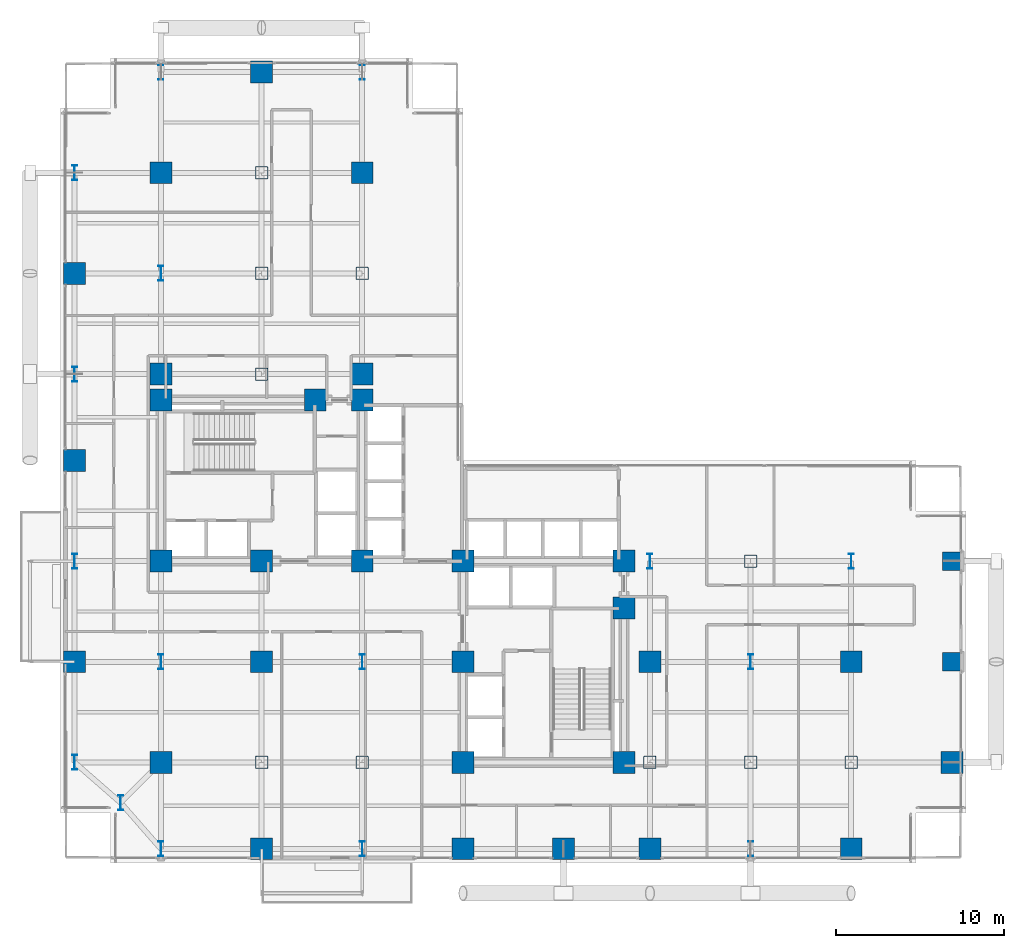
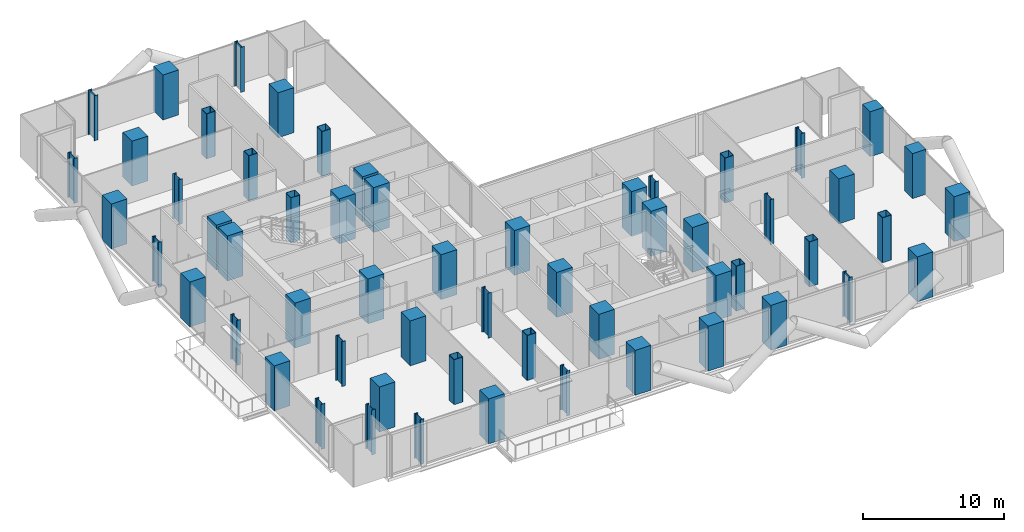
# One storey, part 1 of 25: 58 columns.
"""IFC4 building model written with IfcOpenShell, lengths in metres."""

import ifcopenshell
import ifcopenshell.guid

model = None  # the IFC model being written
_history = None  # IfcOwnerHistory: only IFC2X3 demands one
_inside = {}  # id of a spatial element -> (the spatial element, [elements in it])
_under = {}  # id of a project, library or spatial element -> (it, [spatial elements below it])
_declared = {}  # id of a project -> (the project, [libraries it declares])
_typed = {}  # id of a type object -> (the type object, [elements of that type])
_made_of = {}  # id of a material, layer set ... -> (it, [elements and type objects made of it])


def new_model(schema):
    """Start an empty IFC model of exactly this schema.

    Asked for "IFC4X3", IfcOpenShell would pick the latest addendum, in which some entities
    have other attributes; the version numbers below select the first issue.
    IFC2X3 requires an IfcOwnerHistory on every rooted entity: one is made here for all.
    """
    global model, _history
    if schema == "IFC4X3":
        model = ifcopenshell.file(schema_version=(4, 3, 0, 0))
    else:
        model = ifcopenshell.file(schema=schema)
    _inside.clear()
    _under.clear()
    _declared.clear()
    _typed.clear()
    _made_of.clear()
    _history = None
    if model.schema == "IFC2X3":
        org = make("IfcOrganization", Name="unknown")
        user = make(
            "IfcPersonAndOrganization",
            ThePerson=make("IfcPerson", FamilyName="unknown"),
            TheOrganization=org,
        )
        app = make(
            "IfcApplication",
            ApplicationDeveloper=org,
            Version="unknown",
            ApplicationFullName="unknown",
            ApplicationIdentifier="unknown",
        )
        _history = make(
            "IfcOwnerHistory",
            OwningUser=user,
            OwningApplication=app,
            ChangeAction="ADDED",
            CreationDate=0,
        )
    return model


def make(cls, **values):
    """One entity of the class cls with the attributes given. An attribute that is None is left unset."""
    return model.create_entity(
        cls, **{name: value for name, value in values.items() if value is not None}
    )


def rooted(cls, **values):
    """An entity with a GlobalId (a new one), such as an element, a storey or a relation."""
    return make(cls, GlobalId=ifcopenshell.guid.new(), OwnerHistory=_history, **values)


def si_unit(unit_type, name, prefix=None):
    """IfcSIUnit, for example si_unit("LENGTHUNIT", "METRE", prefix="MILLI")."""
    return make("IfcSIUnit", UnitType=unit_type, Prefix=prefix, Name=name)


def assignment(units):
    """IfcUnitAssignment: the units of a project."""
    return None if units is None else make("IfcUnitAssignment", Units=units)


def point(xyz):
    """IfcCartesianPoint."""
    return None if xyz is None else make("IfcCartesianPoint", Coordinates=xyz)


def direction(xyz):
    """IfcDirection."""
    return None if xyz is None else make("IfcDirection", DirectionRatios=xyz)


def frame(location, z_axis=None, x_axis=None):
    """IfcAxis2Placement3D, a coordinate frame: its origin and axes. An axis left out is left unset."""
    return make(
        "IfcAxis2Placement3D",
        Location=point(location),
        Axis=direction(z_axis),
        RefDirection=direction(x_axis),
    )


def frame_2d(location, x_axis=None):
    """IfcAxis2Placement2D, a coordinate frame in the plane: its origin and x axis."""
    return make(
        "IfcAxis2Placement2D", Location=point(location), RefDirection=direction(x_axis)
    )


def origin():
    """The frame at (0, 0, 0) with its axes left unset."""
    return frame((0.0, 0.0, 0.0))


def origin_2d():
    """The frame at (0, 0) in the plane with its x axis left unset."""
    return frame_2d((0.0, 0.0))


def place(relative_to, where):
    """IfcLocalPlacement: puts the frame where relative to a parent placement (None: the world)."""
    return make(
        "IfcLocalPlacement", PlacementRelTo=relative_to, RelativePlacement=where
    )


def context(
    kind, dimensions, precision=None, world=None, true_north=None, identifier=None
):
    """IfcGeometricRepresentationContext, for example the 3D "Model" context."""
    return make(
        "IfcGeometricRepresentationContext",
        ContextIdentifier=identifier,
        ContextType=kind,
        CoordinateSpaceDimension=dimensions,
        Precision=precision,
        WorldCoordinateSystem=world,
        TrueNorth=true_north,
    )


def subcontext(parent, identifier, kind, view, scale=None):
    """IfcGeometricRepresentationSubContext, for example "Body" below "Model"."""
    return make(
        "IfcGeometricRepresentationSubContext",
        ContextIdentifier=identifier,
        ContextType=kind,
        ParentContext=parent,
        TargetScale=scale,
        TargetView=view,
    )


def project(units=None, contexts=None):
    """IfcProject with its units and contexts."""
    return rooted(
        "IfcProject",
        Name="project",
        RepresentationContexts=contexts,
        UnitsInContext=assignment(units),
    )


def spatial(cls, under=None, at=None, **own):
    """A site, building, storey or space (cls), placed at a placement, below another one or the project."""
    s = rooted(cls, ObjectPlacement=at, **own)
    if under is not None:
        _under.setdefault(under.id(), (under, []))[1].append(s)
    return s


def profile(cls, at=None, kind="AREA", **sizes):
    """A parametric profile (cls). Its sizes go by their IFC names, for example OverallWidth=200.0."""
    return make(cls, ProfileType=kind, Position=at, **sizes)


def rectangle(**sizes):
    """IfcRectangleProfileDef."""
    return profile("IfcRectangleProfileDef", **sizes)


def hollow_rectangle(**sizes):
    """IfcRectangleHollowProfileDef."""
    return profile("IfcRectangleHollowProfileDef", **sizes)


def i_section(**sizes):
    """IfcIShapeProfileDef."""
    return profile("IfcIShapeProfileDef", **sizes)


def extrude(swept, where, along, depth):
    """IfcExtrudedAreaSolid: the profile swept, set in the frame where, extruded along a direction by depth."""
    return make(
        "IfcExtrudedAreaSolid",
        SweptArea=swept,
        Position=where,
        ExtrudedDirection=direction(along),
        Depth=depth,
    )


def shape(context_of_items, identifier, shape_type, items):
    """IfcShapeRepresentation: the items that make up one representation, for example the "Body"."""
    return make(
        "IfcShapeRepresentation",
        ContextOfItems=context_of_items,
        RepresentationIdentifier=identifier,
        RepresentationType=shape_type,
        Items=items,
    )


def material(Name=None, Category=None):
    """IfcMaterial."""
    return make("IfcMaterial", Name=Name, Category=Category)


def material_profile(
    of_material, cross_section, Name=None, Category=None, Priority=None
):
    """IfcMaterialProfile: a cross section and its material."""
    return make(
        "IfcMaterialProfile",
        Name=Name,
        Material=of_material,
        Profile=cross_section,
        Priority=Priority,
        Category=Category,
    )


def profile_set(profiles, Name=None, composite=None):
    """IfcMaterialProfileSet."""
    return make(
        "IfcMaterialProfileSet",
        Name=Name,
        MaterialProfiles=profiles,
        CompositeProfile=composite,
    )


def made_of(thing, what):
    """Note that an element or type object is made of a material, layer set ...; save() writes the relation."""
    if what is not None:
        _made_of.setdefault(what.id(), (what, []))[1].append(thing)
    return thing


def type_object(cls, material=None, **own):
    """A type object (cls), such as IfcWallType, which elements share."""
    return made_of(rooted(cls, **own), material)


def element(
    cls,
    number,
    at=None,
    inside=None,
    cuts=None,
    type_object=None,
    material=None,
    context=None,
    identifier="Body",
    shape_type=None,
    held_by="IfcProductDefinitionShape",
    body=None,
    shapes=None,
    **own,
):
    """One element of the class cls, such as IfcWall. Its Tag is "e" and its number.

    at: its placement. inside: the storey or other place that contains it. cuts: it is an
    opening in that element (IfcRelVoidsElement). A single representation is given by context,
    identifier, shape_type and body (its items); several are given by shapes. held_by: the class
    of the entity that holds the representations. save() writes the other relations.
    """
    e = rooted(cls, Tag="e%d" % number, ObjectPlacement=at, **own)
    if body is not None:
        shapes = [shape(context, identifier, shape_type, body)]
    if shapes is not None:
        e.Representation = make(held_by, Representations=shapes)
    if inside is not None:
        _inside.setdefault(inside.id(), (inside, []))[1].append(e)
    if cuts is not None:
        rooted(
            "IfcRelVoidsElement", RelatingBuildingElement=cuts, RelatedOpeningElement=e
        )
    if type_object is not None:
        _typed.setdefault(type_object.id(), (type_object, []))[1].append(e)
    return made_of(e, material)


def aggregate(whole, parts):
    """IfcRelAggregates: a whole, such as a stair, and the parts it consists of."""
    return rooted("IfcRelAggregates", RelatingObject=whole, RelatedObjects=parts)


def save(model, path):
    """Write the relations noted so far, then the file.

    IfcRelAggregates (storeys below a building ...), IfcRelContainedInSpatialStructure (elements
    in a storey), IfcRelDefinesByType, IfcRelAssociatesMaterial and IfcRelDeclares: one each for
    every whole, place, type object, material and project.
    """
    for whole, parts in _under.values():
        aggregate(whole, parts)
    for where, things in _inside.values():
        rooted(
            "IfcRelContainedInSpatialStructure",
            RelatedElements=things,
            RelatingStructure=where,
        )
    for kind, things in _typed.values():
        rooted("IfcRelDefinesByType", RelatedObjects=things, RelatingType=kind)
    for what, things in _made_of.values():
        rooted("IfcRelAssociatesMaterial", RelatedObjects=things, RelatingMaterial=what)
    for by, libraries in _declared.values():
        rooted("IfcRelDeclares", RelatingContext=by, RelatedDefinitions=libraries)
    model.write(path)


model = new_model("IFC4")

# Units and contexts
model_context = context("Model", 3, precision=1e-05, world=origin(), true_north=direction((0.0, 1.0)))
body_context = subcontext(model_context, "Body", "Model", "MODEL_VIEW")
ifc_project = project(units=[si_unit("LENGTHUNIT", "METRE"), si_unit("AREAUNIT", "SQUARE_METRE"), si_unit("VOLUMEUNIT", "CUBIC_METRE"), si_unit("PLANEANGLEUNIT", "RADIAN"), si_unit("MASSUNIT", "GRAM", prefix="KILO"), si_unit("THERMODYNAMICTEMPERATUREUNIT", "KELVIN"), si_unit("POWERUNIT", "WATT")], contexts=[model_context])

# Site, building, storey
site_placement = place(None, origin())
site = spatial("IfcSite", under=ifc_project, at=site_placement, CompositionType="ELEMENT")
building_placement = place(site_placement, origin())
building = spatial("IfcBuilding", under=site, at=building_placement, Name="Svarakhadi Broadcast Tower", CompositionType="ELEMENT")
storey_placement = place(building_placement, frame((0.0, 0.0, 32.39990234375)))
storey = spatial("IfcBuildingStorey", under=building, at=storey_placement, Name="L06", CompositionType="ELEMENT", Elevation=32.39990234375)

# Columns
ifc_material_1 = material(Name="Steel S460ML (IS 2062 E450BR)", Category="steel")
ifc_material_profile_1 = material_profile(ifc_material_1, hollow_rectangle(XDim=0.75, YDim=0.75, WallThickness=0.034912109375, InnerFilletRadius=0.034912109375, OuterFilletRadius=0.050048828125, at=origin_2d()), Name="BOX 750x750x35")
ifc_profile_set_1 = profile_set([ifc_material_profile_1], Name="Steel S460ML (IS 2062 E450BR)")
column_type_1 = type_object("IfcColumnType", Name="Col_BOX750", PredefinedType="COLUMN", material=ifc_profile_set_1)
for number, where, z_axis, x_axis, name in (
    (1, (12.0, 6.0, 0.0), (0.0, 0.0, 1.0), (1.0, 0.0, 0.0), "L06 Column G19"),
    (2, (12.0, 29.14990234375, 0.0), (0.0, 0.0, 1.0), (1.0, 0.0, 0.0), "L06 Column G21"),
    (3, (12.0, 35.14990234375, 0.0), (0.0, 0.0, 1.0), (1.0, 0.0, 0.0), "L06 Column G22"),
    (4, (12.0, 41.14990234375, 0.0), (0.0, 0.0, 1.0), (1.0, 0.0, 0.0), "L06 Column G23"),
    (5, (18.0, 6.0, 0.0), (0.0, 0.0, 1.0), (1.0, 0.0, 0.0), "L06 Column G26"),
    (6, (18.0, 35.14990234375, 0.0), (0.0, 0.0, 1.0), (1.0, 0.0, 0.0), "L06 Column G29"),
    (7, (35.14990234375, 6.0, 0.0), (0.0, 0.0, 1.0), (1.0, 0.0, 0.0), "L06 Column G39"),
    (8, (41.14990234375, 6.0, 0.0), (0.0, 0.0, 1.0), (1.0, 0.0, 0.0), "L06 Column G44"),
    (9, (41.14990234375, 18.0, 0.0), (0.0, 0.0, 1.0), (1.0, 0.0, 0.0), "L06 Column G46"),
    (10, (47.14990234375, 6.0, 0.0), (0.0, 0.0, 1.0), (1.0, 0.0, 0.0), "L06 Column G51"),
):
    element("IfcColumn", number, at=place(storey_placement, frame(where, z_axis=z_axis, x_axis=x_axis)), inside=storey, type_object=column_type_1, Name=name, PredefinedType="COLUMN", context=body_context, shape_type="SweptSolid", body=[
        extrude(hollow_rectangle(XDim=0.75, YDim=0.75, WallThickness=0.034912109375, InnerFilletRadius=0.034912109375, OuterFilletRadius=0.050048828125, at=origin_2d()), origin(), (0.0, 0.0, 1.0), 3.900146484375),
    ])
ifc_material_2 = material(Name="Concrete C50/60 (IS 456 M60)", Category="concrete")
ifc_material_profile_2 = material_profile(ifc_material_2, rectangle(XDim=1.10009765625, YDim=1.10009765625, at=origin_2d()), Name="RC 1100x1100")
ifc_profile_set_2 = profile_set([ifc_material_profile_2], Name="Concrete C50/60 (IS 456 M60)")
column_type_2 = type_object("IfcColumnType", Name="Col_RC1100", PredefinedType="COLUMN", material=ifc_profile_set_2)
for number, where, z_axis, x_axis, name in (
    (11, (53.14990234375, 12.0, 0.0), (0.0, 0.0, 1.0), (1.0, 0.0, 0.0), "L06 Zone-1 East Stack Column ZT02"),
    (12, (53.14990234375, 18.0, 0.0), (0.0, 0.0, 1.0), (1.0, 0.0, 0.0), "L06 Zone-1 East Stack Column ZT03"),
):
    element("IfcColumn", number, at=place(storey_placement, frame(where, z_axis=z_axis, x_axis=x_axis)), inside=storey, type_object=column_type_2, Name=name, PredefinedType="COLUMN", context=body_context, shape_type="SweptSolid", body=[
        extrude(rectangle(XDim=1.10009765625, YDim=1.10009765625, at=origin_2d()), origin(), (0.0, 0.0, 1.0), 3.900146484375),
    ])
ifc_material_3 = material(Name="Concrete C60/75 (IS 456 M70)", Category="concrete")
ifc_material_profile_3 = material_profile(ifc_material_3, rectangle(XDim=1.300048828125, YDim=1.300048828125, at=origin_2d()), Name="RC 1300x1300")
ifc_profile_set_3 = profile_set([ifc_material_profile_3], Name="Concrete C60/75 (IS 456 M70)")
column_type_3 = type_object("IfcColumnType", Name="Col_RC1300", PredefinedType="COLUMN", material=ifc_profile_set_3)
for number, where, z_axis, x_axis, name in (
    (13, (6.0, 18.0, 0.0), (0.0, 0.0, 1.0), (1.0, 0.0, 0.0), "L06 Column CW1"),
    (14, (12.0, 18.0, 0.0), (0.0, 0.0, 1.0), (1.0, 0.0, 0.0), "L06 Column CW2"),
    (15, (18.0, 18.0, 0.0), (0.0, 0.0, 1.0), (1.0, 0.0, 0.0), "L06 Column CW3"),
    (16, (6.0, 27.60009765625, 0.0), (0.0, 0.0, 1.0), (1.0, 0.0, 0.0), "L06 Column CW4"),
    (17, (15.199951171875, 27.60009765625, 0.0), (0.0, 0.0, 1.0), (1.0, 0.0, 0.0), "L06 Column CW5"),
    (18, (18.0, 27.60009765625, 0.0), (0.0, 0.0, 1.0), (1.0, 0.0, 0.0), "L06 Column CW6"),
    (19, (24.0, 6.0, 0.0), (0.0, 0.0, 1.0), (1.0, 0.0, 0.0), "L06 Column CE1"),
    (20, (24.0, 12.0, 0.0), (0.0, 0.0, 1.0), (1.0, 0.0, 0.0), "L06 Column CE2"),
    (21, (24.0, 18.0, 0.0), (0.0, 0.0, 1.0), (1.0, 0.0, 0.0), "L06 Column CE3"),
    (22, (33.60009765625, 6.0, 0.0), (0.0, 0.0, 1.0), (1.0, 0.0, 0.0), "L06 Column CE4"),
    (23, (33.60009765625, 15.199951171875, 0.0), (0.0, 0.0, 1.0), (1.0, 0.0, 0.0), "L06 Column CE5"),
    (24, (33.60009765625, 18.0, 0.0), (0.0, 0.0, 1.0), (1.0, 0.0, 0.0), "L06 Column CE6"),
    (25, (0.85009765625, 12.0, 0.0), (0.0, 0.0, 1.0), (1.0, 0.0, 0.0), "L06 Column G04"),
    (26, (0.85009765625, 24.0, 0.0), (0.0, 0.0, 1.0), (1.0, 0.0, 0.0), "L06 Column G06"),
    (27, (0.85009765625, 35.14990234375, 0.0), (0.0, 0.0, 1.0), (1.0, 0.0, 0.0), "L06 Column G08"),
    (28, (6.0, 6.0, 0.0), (0.0, 0.0, 1.0), (1.0, 0.0, 0.0), "L06 Column G12"),
    (29, (6.0, 29.14990234375, 0.0), (0.0, 0.0, 1.0), (1.0, 0.0, 0.0), "L06 Column G14"),
    (30, (6.0, 41.14990234375, 0.0), (0.0, 0.0, 1.0), (1.0, 0.0, 0.0), "L06 Column G16"),
    (31, (12.0, 0.85009765625, 0.0), (0.0, 0.0, 1.0), (1.0, 0.0, 0.0), "L06 Column G18"),
    (32, (12.0, 12.0, 0.0), (0.0, 0.0, 1.0), (1.0, 0.0, 0.0), "L06 Column G20"),
    (33, (12.0, 47.14990234375, 0.0), (0.0, 0.0, 1.0), (1.0, 0.0, 0.0), "L06 Column G24"),
    (34, (18.0, 29.14990234375, 0.0), (0.0, 0.0, 1.0), (1.0, 0.0, 0.0), "L06 Column G28"),
    (35, (18.0, 41.14990234375, 0.0), (0.0, 0.0, 1.0), (1.0, 0.0, 0.0), "L06 Column G30"),
    (36, (24.0, 0.85009765625, 0.0), (0.0, 0.0, 1.0), (1.0, 0.0, 0.0), "L06 Column G32"),
    (37, (30.0, 0.85009765625, 0.0), (0.0, 0.0, 1.0), (1.0, 0.0, 0.0), "L06 Column G36"),
    (38, (35.14990234375, 0.85009765625, 0.0), (0.0, 0.0, 1.0), (1.0, 0.0, 0.0), "L06 Column G38"),
    (39, (35.14990234375, 12.0, 0.0), (0.0, 0.0, 1.0), (1.0, 0.0, 0.0), "L06 Column G40"),
    (40, (47.14990234375, 0.85009765625, 0.0), (0.0, 0.0, 1.0), (1.0, 0.0, 0.0), "L06 Column G50"),
    (41, (47.14990234375, 12.0, 0.0), (0.0, 0.0, 1.0), (1.0, 0.0, 0.0), "L06 Column G52"),
    (42, (53.14990234375, 6.0, 0.0), (0.0, 0.0, 1.0), (1.0, 0.0, 0.0), "L06 Column G58"),
):
    element("IfcColumn", number, at=place(storey_placement, frame(where, z_axis=z_axis, x_axis=x_axis)), inside=storey, type_object=column_type_3, Name=name, PredefinedType="COLUMN", context=body_context, shape_type="SweptSolid", body=[
        extrude(rectangle(XDim=1.300048828125, YDim=1.300048828125, at=origin_2d()), origin(), (0.0, 0.0, 1.0), 3.900146484375),
    ])
ifc_material_profile_4 = material_profile(ifc_material_1, i_section(OverallWidth=0.300048828125, OverallDepth=0.89990234375, WebThickness=0.0185546875, FlangeThickness=0.034912109375, FilletRadius=0.030029296875, at=origin_2d()), Name="WPB 900x300x291")
ifc_profile_set_4 = profile_set([ifc_material_profile_4], Name="Steel S460ML (IS 2062 E450BR)")
column_type_4 = type_object("IfcColumnType", Name="Col_WPB900", PredefinedType="COLUMN", material=ifc_profile_set_4)
for number, where, z_axis, x_axis, name in (
    (43, (3.60009765625, 3.60009765625, 0.0), (0.0, 0.0, 1.0), (1.0, 0.0, 0.0), "L06 Column G01"),
    (44, (0.85009765625, 6.0, 0.0), (0.0, 0.0, 1.0), (1.0, 0.0, 0.0), "L06 Column G03"),
    (45, (0.85009765625, 18.0, 0.0), (0.0, 0.0, 1.0), (1.0, 0.0, 0.0), "L06 Column G05"),
    (46, (0.85009765625, 29.14990234375, 0.0), (0.0, 0.0, 1.0), (1.0, 0.0, 0.0), "L06 Column G07"),
    (47, (0.85009765625, 41.14990234375, 0.0), (0.0, 0.0, 1.0), (1.0, 0.0, 0.0), "L06 Column G09"),
    (48, (6.0, 0.85009765625, 0.0), (0.0, 0.0, 1.0), (1.0, 0.0, 0.0), "L06 Column G11"),
    (49, (6.0, 12.0, 0.0), (0.0, 0.0, 1.0), (1.0, 0.0, 0.0), "L06 Column G13"),
    (50, (6.0, 35.14990234375, 0.0), (0.0, 0.0, 1.0), (1.0, 0.0, 0.0), "L06 Column G15"),
    (51, (6.0, 47.14990234375, 0.0), (0.0, 0.0, 1.0), (1.0, 0.0, 0.0), "L06 Column G17"),
    (52, (18.0, 0.85009765625, 0.0), (0.0, 0.0, 1.0), (1.0, 0.0, 0.0), "L06 Column G25"),
    (53, (18.0, 12.0, 0.0), (0.0, 0.0, 1.0), (1.0, 0.0, 0.0), "L06 Column G27"),
    (54, (18.0, 47.14990234375, 0.0), (0.0, 0.0, 1.0), (1.0, 0.0, 0.0), "L06 Column G31"),
    (55, (35.14990234375, 18.0, 0.0), (0.0, 0.0, 1.0), (1.0, 0.0, 0.0), "L06 Column G41"),
    (56, (41.14990234375, 0.85009765625, 0.0), (0.0, 0.0, 1.0), (1.0, 0.0, 0.0), "L06 Column G43"),
    (57, (41.14990234375, 12.0, 0.0), (0.0, 0.0, 1.0), (1.0, 0.0, 0.0), "L06 Column G45"),
    (58, (47.14990234375, 18.0, 0.0), (0.0, 0.0, 1.0), (1.0, 0.0, 0.0), "L06 Column G53"),
):
    element("IfcColumn", number, at=place(storey_placement, frame(where, z_axis=z_axis, x_axis=x_axis)), inside=storey, type_object=column_type_4, Name=name, PredefinedType="COLUMN", context=body_context, shape_type="SweptSolid", body=[
        extrude(i_section(OverallWidth=0.300048828125, OverallDepth=0.89990234375, WebThickness=0.0185546875, FlangeThickness=0.034912109375, FilletRadius=0.030029296875, at=origin_2d()), origin(), (0.0, 0.0, 1.0), 3.900146484375),
    ])

save(model, "model.ifc")
